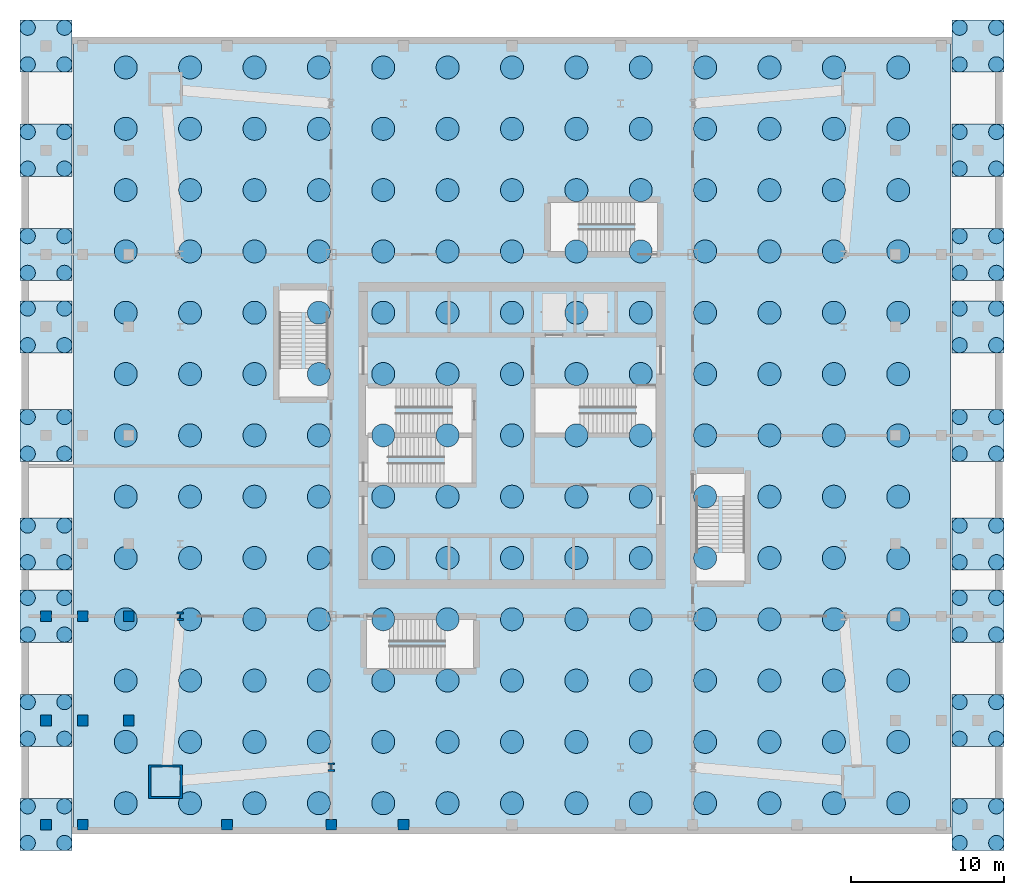
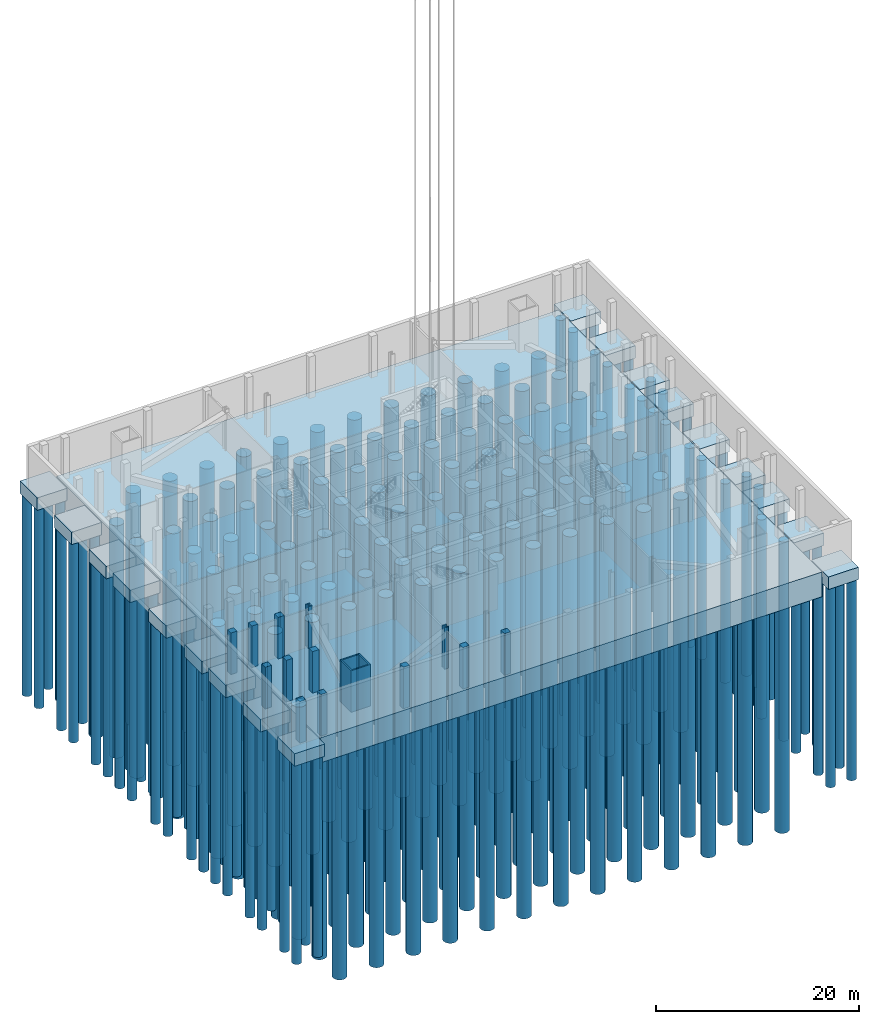
# One storey, part 1 of 8: 241 piles, 19 footings, 14 columns.
"""IFC4 building model written with IfcOpenShell, lengths in metres."""

from ifc_helpers import new_model, si_unit, direction, frame, origin, origin_2d, place, context, subcontext, project, spatial, polyline, rectangle, hollow_rectangle, circle, i_section, outline, extrude, material, layer, layer_set, material_profile, profile_set, type_object, element, save


model = new_model("IFC4")

# Units and contexts
model_context = context("Model", 3, precision=1e-05, world=origin(), true_north=direction((0.0, 1.0)))
body_context = subcontext(model_context, "Body", "Model", "MODEL_VIEW")
ifc_project = project(units=[si_unit("LENGTHUNIT", "METRE"), si_unit("AREAUNIT", "SQUARE_METRE"), si_unit("VOLUMEUNIT", "CUBIC_METRE"), si_unit("PLANEANGLEUNIT", "RADIAN"), si_unit("MASSUNIT", "GRAM", prefix="KILO")], contexts=[model_context])

# Site, building, storey
site_placement = place(None, origin())
site = spatial("IfcSite", under=ifc_project, at=site_placement, CompositionType="ELEMENT")
building_placement = place(site_placement, origin())
building = spatial("IfcBuilding", under=site, at=building_placement, Name="Turquesa Mirador Hotel Tower", CompositionType="ELEMENT")
storey_placement = place(building_placement, frame((0.0, 0.0, -5.0)))
storey = spatial("IfcBuildingStorey", under=building, at=storey_placement, Name="B1", CompositionType="ELEMENT", Elevation=-5.0)

# Piles
ifc_material_1 = material(Name="Concrete C35/45", Category="concrete")
pile_type_1 = type_object("IfcPileType", Name="BORED PILE 1000", PredefinedType="BORED", material=ifc_material_1)
for number, where, z_axis, x_axis, name in (
    (1, (23.39990234375, 18.39990234375, -1.5), (0.0, 0.0, -1.0), (1.0, 0.0, 0.0), "Cap 01 pile 1"),
    (2, (25.800048828125, 18.39990234375, -1.5), (0.0, 0.0, -1.0), (1.0, 0.0, 0.0), "Cap 01 pile 2"),
    (3, (25.800048828125, 20.800048828125, -1.5), (0.0, 0.0, -1.0), (1.0, 0.0, 0.0), "Cap 01 pile 3"),
    (4, (23.39990234375, 20.800048828125, -1.5), (0.0, 0.0, -1.0), (1.0, 0.0, 0.0), "Cap 01 pile 4"),
    (5, (23.39990234375, 25.199951171875, -1.5), (0.0, 0.0, -1.0), (1.0, 0.0, 0.0), "Cap 02 pile 1"),
    (6, (25.800048828125, 25.199951171875, -1.5), (0.0, 0.0, -1.0), (1.0, 0.0, 0.0), "Cap 02 pile 2"),
    (7, (25.800048828125, 27.60009765625, -1.5), (0.0, 0.0, -1.0), (1.0, 0.0, 0.0), "Cap 02 pile 3"),
    (8, (23.39990234375, 27.60009765625, -1.5), (0.0, 0.0, -1.0), (1.0, 0.0, 0.0), "Cap 02 pile 4"),
    (9, (23.39990234375, 32.0, -1.5), (0.0, 0.0, -1.0), (1.0, 0.0, 0.0), "Cap 03 pile 1"),
    (10, (25.800048828125, 32.0, -1.5), (0.0, 0.0, -1.0), (1.0, 0.0, 0.0), "Cap 03 pile 2"),
    (11, (25.800048828125, 34.39990234375, -1.5), (0.0, 0.0, -1.0), (1.0, 0.0, 0.0), "Cap 03 pile 3"),
    (12, (23.39990234375, 34.39990234375, -1.5), (0.0, 0.0, -1.0), (1.0, 0.0, 0.0), "Cap 03 pile 4"),
    (13, (23.39990234375, 36.719970703125, -1.5), (0.0, 0.0, -1.0), (1.0, 0.0, 0.0), "Cap 04 pile 1"),
    (14, (25.800048828125, 36.719970703125, -1.5), (0.0, 0.0, -1.0), (1.0, 0.0, 0.0), "Cap 04 pile 2"),
    (15, (25.800048828125, 39.1201171875, -1.5), (0.0, 0.0, -1.0), (1.0, 0.0, 0.0), "Cap 04 pile 3"),
    (16, (23.39990234375, 39.1201171875, -1.5), (0.0, 0.0, -1.0), (1.0, 0.0, 0.0), "Cap 04 pile 4"),
    (17, (23.39990234375, 43.800048828125, -1.5), (0.0, 0.0, -1.0), (1.0, 0.0, 0.0), "Cap 05 pile 1"),
    (18, (25.800048828125, 43.800048828125, -1.5), (0.0, 0.0, -1.0), (1.0, 0.0, 0.0), "Cap 05 pile 2"),
    (19, (25.800048828125, 46.199951171875, -1.5), (0.0, 0.0, -1.0), (1.0, 0.0, 0.0), "Cap 05 pile 3"),
    (20, (23.39990234375, 46.199951171875, -1.5), (0.0, 0.0, -1.0), (1.0, 0.0, 0.0), "Cap 05 pile 4"),
    (21, (23.39990234375, 50.8798828125, -1.5), (0.0, 0.0, -1.0), (1.0, 0.0, 0.0), "Cap 06 pile 1"),
    (22, (25.800048828125, 50.8798828125, -1.5), (0.0, 0.0, -1.0), (1.0, 0.0, 0.0), "Cap 06 pile 2"),
    (23, (25.800048828125, 53.280029296875, -1.5), (0.0, 0.0, -1.0), (1.0, 0.0, 0.0), "Cap 06 pile 3"),
    (24, (23.39990234375, 53.280029296875, -1.5), (0.0, 0.0, -1.0), (1.0, 0.0, 0.0), "Cap 06 pile 4"),
    (25, (23.39990234375, 55.60009765625, -1.5), (0.0, 0.0, -1.0), (1.0, 0.0, 0.0), "Cap 07 pile 1"),
    (26, (25.800048828125, 55.60009765625, -1.5), (0.0, 0.0, -1.0), (1.0, 0.0, 0.0), "Cap 07 pile 2"),
    (27, (25.800048828125, 58.0, -1.5), (0.0, 0.0, -1.0), (1.0, 0.0, 0.0), "Cap 07 pile 3"),
    (28, (23.39990234375, 58.0, -1.5), (0.0, 0.0, -1.0), (1.0, 0.0, 0.0), "Cap 07 pile 4"),
    (29, (23.39990234375, 62.39990234375, -1.5), (0.0, 0.0, -1.0), (1.0, 0.0, 0.0), "Cap 08 pile 1"),
    (30, (25.800048828125, 62.39990234375, -1.5), (0.0, 0.0, -1.0), (1.0, 0.0, 0.0), "Cap 08 pile 2"),
    (31, (25.800048828125, 64.800048828125, -1.5), (0.0, 0.0, -1.0), (1.0, 0.0, 0.0), "Cap 08 pile 3"),
    (32, (23.39990234375, 64.800048828125, -1.5), (0.0, 0.0, -1.0), (1.0, 0.0, 0.0), "Cap 08 pile 4"),
    (33, (23.39990234375, 69.199951171875, -1.5), (0.0, 0.0, -1.0), (1.0, 0.0, 0.0), "Cap 09 pile 1"),
    (34, (25.800048828125, 69.199951171875, -1.5), (0.0, 0.0, -1.0), (1.0, 0.0, 0.0), "Cap 09 pile 2"),
    (35, (25.800048828125, 71.60009765625, -1.5), (0.0, 0.0, -1.0), (1.0, 0.0, 0.0), "Cap 09 pile 3"),
    (36, (23.39990234375, 71.60009765625, -1.5), (0.0, 0.0, -1.0), (1.0, 0.0, 0.0), "Cap 09 pile 4"),
    (37, (84.199951171875, 18.39990234375, -1.5), (0.0, 0.0, -1.0), (1.0, 0.0, 0.0), "Cap 10 pile 1"),
    (38, (86.60009765625, 18.39990234375, -1.5), (0.0, 0.0, -1.0), (1.0, 0.0, 0.0), "Cap 10 pile 2"),
    (39, (86.60009765625, 20.800048828125, -1.5), (0.0, 0.0, -1.0), (1.0, 0.0, 0.0), "Cap 10 pile 3"),
    (40, (84.199951171875, 20.800048828125, -1.5), (0.0, 0.0, -1.0), (1.0, 0.0, 0.0), "Cap 10 pile 4"),
    (41, (84.199951171875, 25.199951171875, -1.5), (0.0, 0.0, -1.0), (1.0, 0.0, 0.0), "Cap 11 pile 1"),
    (42, (86.60009765625, 25.199951171875, -1.5), (0.0, 0.0, -1.0), (1.0, 0.0, 0.0), "Cap 11 pile 2"),
    (43, (86.60009765625, 27.60009765625, -1.5), (0.0, 0.0, -1.0), (1.0, 0.0, 0.0), "Cap 11 pile 3"),
    (44, (84.199951171875, 27.60009765625, -1.5), (0.0, 0.0, -1.0), (1.0, 0.0, 0.0), "Cap 11 pile 4"),
    (45, (84.199951171875, 32.0, -1.5), (0.0, 0.0, -1.0), (1.0, 0.0, 0.0), "Cap 12 pile 1"),
    (46, (86.60009765625, 32.0, -1.5), (0.0, 0.0, -1.0), (1.0, 0.0, 0.0), "Cap 12 pile 2"),
    (47, (86.60009765625, 34.39990234375, -1.5), (0.0, 0.0, -1.0), (1.0, 0.0, 0.0), "Cap 12 pile 3"),
    (48, (84.199951171875, 34.39990234375, -1.5), (0.0, 0.0, -1.0), (1.0, 0.0, 0.0), "Cap 12 pile 4"),
    (49, (84.199951171875, 36.719970703125, -1.5), (0.0, 0.0, -1.0), (1.0, 0.0, 0.0), "Cap 13 pile 1"),
    (50, (86.60009765625, 36.719970703125, -1.5), (0.0, 0.0, -1.0), (1.0, 0.0, 0.0), "Cap 13 pile 2"),
    (51, (86.60009765625, 39.1201171875, -1.5), (0.0, 0.0, -1.0), (1.0, 0.0, 0.0), "Cap 13 pile 3"),
    (52, (84.199951171875, 39.1201171875, -1.5), (0.0, 0.0, -1.0), (1.0, 0.0, 0.0), "Cap 13 pile 4"),
    (53, (84.199951171875, 43.800048828125, -1.5), (0.0, 0.0, -1.0), (1.0, 0.0, 0.0), "Cap 14 pile 1"),
    (54, (86.60009765625, 43.800048828125, -1.5), (0.0, 0.0, -1.0), (1.0, 0.0, 0.0), "Cap 14 pile 2"),
    (55, (86.60009765625, 46.199951171875, -1.5), (0.0, 0.0, -1.0), (1.0, 0.0, 0.0), "Cap 14 pile 3"),
    (56, (84.199951171875, 46.199951171875, -1.5), (0.0, 0.0, -1.0), (1.0, 0.0, 0.0), "Cap 14 pile 4"),
    (57, (84.199951171875, 50.8798828125, -1.5), (0.0, 0.0, -1.0), (1.0, 0.0, 0.0), "Cap 15 pile 1"),
    (58, (86.60009765625, 50.8798828125, -1.5), (0.0, 0.0, -1.0), (1.0, 0.0, 0.0), "Cap 15 pile 2"),
    (59, (86.60009765625, 53.280029296875, -1.5), (0.0, 0.0, -1.0), (1.0, 0.0, 0.0), "Cap 15 pile 3"),
    (60, (84.199951171875, 53.280029296875, -1.5), (0.0, 0.0, -1.0), (1.0, 0.0, 0.0), "Cap 15 pile 4"),
    (61, (84.199951171875, 55.60009765625, -1.5), (0.0, 0.0, -1.0), (1.0, 0.0, 0.0), "Cap 16 pile 1"),
    (62, (86.60009765625, 55.60009765625, -1.5), (0.0, 0.0, -1.0), (1.0, 0.0, 0.0), "Cap 16 pile 2"),
    (63, (86.60009765625, 58.0, -1.5), (0.0, 0.0, -1.0), (1.0, 0.0, 0.0), "Cap 16 pile 3"),
    (64, (84.199951171875, 58.0, -1.5), (0.0, 0.0, -1.0), (1.0, 0.0, 0.0), "Cap 16 pile 4"),
    (65, (84.199951171875, 62.39990234375, -1.5), (0.0, 0.0, -1.0), (1.0, 0.0, 0.0), "Cap 17 pile 1"),
    (66, (86.60009765625, 62.39990234375, -1.5), (0.0, 0.0, -1.0), (1.0, 0.0, 0.0), "Cap 17 pile 2"),
    (67, (86.60009765625, 64.800048828125, -1.5), (0.0, 0.0, -1.0), (1.0, 0.0, 0.0), "Cap 17 pile 3"),
    (68, (84.199951171875, 64.800048828125, -1.5), (0.0, 0.0, -1.0), (1.0, 0.0, 0.0), "Cap 17 pile 4"),
    (69, (84.199951171875, 69.199951171875, -1.5), (0.0, 0.0, -1.0), (1.0, 0.0, 0.0), "Cap 18 pile 1"),
    (70, (86.60009765625, 69.199951171875, -1.5), (0.0, 0.0, -1.0), (1.0, 0.0, 0.0), "Cap 18 pile 2"),
    (71, (86.60009765625, 71.60009765625, -1.5), (0.0, 0.0, -1.0), (1.0, 0.0, 0.0), "Cap 18 pile 3"),
    (72, (84.199951171875, 71.60009765625, -1.5), (0.0, 0.0, -1.0), (1.0, 0.0, 0.0), "Cap 18 pile 4"),
):
    element("IfcPile", number, at=place(storey_placement, frame(where, z_axis=z_axis, x_axis=x_axis)), inside=storey, type_object=pile_type_1, Name=name, PredefinedType="BORED", context=body_context, shape_type="SweptSolid", body=[
        extrude(circle(Radius=0.5, at=origin_2d()), origin(), (0.0, 0.0, 1.0), 24.0),
    ])
ifc_material_2 = material(Name="Concrete C35/45", Category="concrete")
pile_type_2 = type_object("IfcPileType", Name="BORED PILE 1500", PredefinedType="BORED", material=ifc_material_2)
for number, where, z_axis, x_axis, name in (
    (73, (29.800048828125, 21.0, -3.0), (0.0, 0.0, -1.0), (1.0, 0.0, 0.0), "Raft pile 001"),
    (74, (34.0, 21.0, -3.0), (0.0, 0.0, -1.0), (1.0, 0.0, 0.0), "Raft pile 002"),
    (75, (38.199951171875, 21.0, -3.0), (0.0, 0.0, -1.0), (1.0, 0.0, 0.0), "Raft pile 003"),
    (76, (42.39990234375, 21.0, -3.0), (0.0, 0.0, -1.0), (1.0, 0.0, 0.0), "Raft pile 004"),
    (77, (46.60009765625, 21.0, -3.0), (0.0, 0.0, -1.0), (1.0, 0.0, 0.0), "Raft pile 005"),
    (78, (50.800048828125, 21.0, -3.0), (0.0, 0.0, -1.0), (1.0, 0.0, 0.0), "Raft pile 006"),
    (79, (55.0, 21.0, -3.0), (0.0, 0.0, -1.0), (1.0, 0.0, 0.0), "Raft pile 007"),
    (80, (59.199951171875, 21.0, -3.0), (0.0, 0.0, -1.0), (1.0, 0.0, 0.0), "Raft pile 008"),
    (81, (63.39990234375, 21.0, -3.0), (0.0, 0.0, -1.0), (1.0, 0.0, 0.0), "Raft pile 009"),
    (82, (67.60009765625, 21.0, -3.0), (0.0, 0.0, -1.0), (1.0, 0.0, 0.0), "Raft pile 010"),
    (83, (71.800048828125, 21.0, -3.0), (0.0, 0.0, -1.0), (1.0, 0.0, 0.0), "Raft pile 011"),
    (84, (76.0, 21.0, -3.0), (0.0, 0.0, -1.0), (1.0, 0.0, 0.0), "Raft pile 012"),
    (85, (80.199951171875, 21.0, -3.0), (0.0, 0.0, -1.0), (1.0, 0.0, 0.0), "Raft pile 013"),
    (86, (29.800048828125, 25.0, -3.0), (0.0, 0.0, -1.0), (1.0, 0.0, 0.0), "Raft pile 014"),
    (87, (34.0, 25.0, -3.0), (0.0, 0.0, -1.0), (1.0, 0.0, 0.0), "Raft pile 015"),
    (88, (38.199951171875, 25.0, -3.0), (0.0, 0.0, -1.0), (1.0, 0.0, 0.0), "Raft pile 016"),
    (89, (42.39990234375, 25.0, -3.0), (0.0, 0.0, -1.0), (1.0, 0.0, 0.0), "Raft pile 017"),
    (90, (46.60009765625, 25.0, -3.0), (0.0, 0.0, -1.0), (1.0, 0.0, 0.0), "Raft pile 018"),
    (91, (50.800048828125, 25.0, -3.0), (0.0, 0.0, -1.0), (1.0, 0.0, 0.0), "Raft pile 019"),
    (92, (55.0, 25.0, -3.0), (0.0, 0.0, -1.0), (1.0, 0.0, 0.0), "Raft pile 020"),
    (93, (59.199951171875, 25.0, -3.0), (0.0, 0.0, -1.0), (1.0, 0.0, 0.0), "Raft pile 021"),
    (94, (63.39990234375, 25.0, -3.0), (0.0, 0.0, -1.0), (1.0, 0.0, 0.0), "Raft pile 022"),
    (95, (67.60009765625, 25.0, -3.0), (0.0, 0.0, -1.0), (1.0, 0.0, 0.0), "Raft pile 023"),
    (96, (71.800048828125, 25.0, -3.0), (0.0, 0.0, -1.0), (1.0, 0.0, 0.0), "Raft pile 024"),
    (97, (76.0, 25.0, -3.0), (0.0, 0.0, -1.0), (1.0, 0.0, 0.0), "Raft pile 025"),
    (98, (80.199951171875, 25.0, -3.0), (0.0, 0.0, -1.0), (1.0, 0.0, 0.0), "Raft pile 026"),
    (99, (29.800048828125, 29.0, -3.0), (0.0, 0.0, -1.0), (1.0, 0.0, 0.0), "Raft pile 027"),
    (100, (34.0, 29.0, -3.0), (0.0, 0.0, -1.0), (1.0, 0.0, 0.0), "Raft pile 028"),
    (101, (38.199951171875, 29.0, -3.0), (0.0, 0.0, -1.0), (1.0, 0.0, 0.0), "Raft pile 029"),
    (102, (42.39990234375, 29.0, -3.0), (0.0, 0.0, -1.0), (1.0, 0.0, 0.0), "Raft pile 030"),
    (103, (46.60009765625, 29.0, -3.0), (0.0, 0.0, -1.0), (1.0, 0.0, 0.0), "Raft pile 031"),
    (104, (50.800048828125, 29.0, -3.0), (0.0, 0.0, -1.0), (1.0, 0.0, 0.0), "Raft pile 032"),
    (105, (55.0, 29.0, -3.0), (0.0, 0.0, -1.0), (1.0, 0.0, 0.0), "Raft pile 033"),
    (106, (59.199951171875, 29.0, -3.0), (0.0, 0.0, -1.0), (1.0, 0.0, 0.0), "Raft pile 034"),
    (107, (63.39990234375, 29.0, -3.0), (0.0, 0.0, -1.0), (1.0, 0.0, 0.0), "Raft pile 035"),
    (108, (67.60009765625, 29.0, -3.0), (0.0, 0.0, -1.0), (1.0, 0.0, 0.0), "Raft pile 036"),
    (109, (71.800048828125, 29.0, -3.0), (0.0, 0.0, -1.0), (1.0, 0.0, 0.0), "Raft pile 037"),
    (110, (76.0, 29.0, -3.0), (0.0, 0.0, -1.0), (1.0, 0.0, 0.0), "Raft pile 038"),
    (111, (80.199951171875, 29.0, -3.0), (0.0, 0.0, -1.0), (1.0, 0.0, 0.0), "Raft pile 039"),
    (112, (29.800048828125, 33.0, -3.0), (0.0, 0.0, -1.0), (1.0, 0.0, 0.0), "Raft pile 040"),
    (113, (34.0, 33.0, -3.0), (0.0, 0.0, -1.0), (1.0, 0.0, 0.0), "Raft pile 041"),
    (114, (38.199951171875, 33.0, -3.0), (0.0, 0.0, -1.0), (1.0, 0.0, 0.0), "Raft pile 042"),
    (115, (42.39990234375, 33.0, -3.0), (0.0, 0.0, -1.0), (1.0, 0.0, 0.0), "Raft pile 043"),
    (116, (46.60009765625, 33.0, -3.0), (0.0, 0.0, -1.0), (1.0, 0.0, 0.0), "Raft pile 044"),
    (117, (50.800048828125, 33.0, -3.0), (0.0, 0.0, -1.0), (1.0, 0.0, 0.0), "Raft pile 045"),
    (118, (55.0, 33.0, -3.0), (0.0, 0.0, -1.0), (1.0, 0.0, 0.0), "Raft pile 046"),
    (119, (59.199951171875, 33.0, -3.0), (0.0, 0.0, -1.0), (1.0, 0.0, 0.0), "Raft pile 047"),
    (120, (63.39990234375, 33.0, -3.0), (0.0, 0.0, -1.0), (1.0, 0.0, 0.0), "Raft pile 048"),
    (121, (67.60009765625, 33.0, -3.0), (0.0, 0.0, -1.0), (1.0, 0.0, 0.0), "Raft pile 049"),
    (122, (71.800048828125, 33.0, -3.0), (0.0, 0.0, -1.0), (1.0, 0.0, 0.0), "Raft pile 050"),
    (123, (76.0, 33.0, -3.0), (0.0, 0.0, -1.0), (1.0, 0.0, 0.0), "Raft pile 051"),
    (124, (80.199951171875, 33.0, -3.0), (0.0, 0.0, -1.0), (1.0, 0.0, 0.0), "Raft pile 052"),
    (125, (29.800048828125, 37.0, -3.0), (0.0, 0.0, -1.0), (1.0, 0.0, 0.0), "Raft pile 053"),
    (126, (34.0, 37.0, -3.0), (0.0, 0.0, -1.0), (1.0, 0.0, 0.0), "Raft pile 054"),
    (127, (38.199951171875, 37.0, -3.0), (0.0, 0.0, -1.0), (1.0, 0.0, 0.0), "Raft pile 055"),
    (128, (42.39990234375, 37.0, -3.0), (0.0, 0.0, -1.0), (1.0, 0.0, 0.0), "Raft pile 056"),
    (129, (46.60009765625, 37.0, -3.0), (0.0, 0.0, -1.0), (1.0, 0.0, 0.0), "Raft pile 057"),
    (130, (50.800048828125, 37.0, -3.0), (0.0, 0.0, -1.0), (1.0, 0.0, 0.0), "Raft pile 058"),
    (131, (55.0, 37.0, -3.0), (0.0, 0.0, -1.0), (1.0, 0.0, 0.0), "Raft pile 059"),
    (132, (59.199951171875, 37.0, -3.0), (0.0, 0.0, -1.0), (1.0, 0.0, 0.0), "Raft pile 060"),
    (133, (63.39990234375, 37.0, -3.0), (0.0, 0.0, -1.0), (1.0, 0.0, 0.0), "Raft pile 061"),
    (134, (67.60009765625, 37.0, -3.0), (0.0, 0.0, -1.0), (1.0, 0.0, 0.0), "Raft pile 062"),
    (135, (71.800048828125, 37.0, -3.0), (0.0, 0.0, -1.0), (1.0, 0.0, 0.0), "Raft pile 063"),
    (136, (76.0, 37.0, -3.0), (0.0, 0.0, -1.0), (1.0, 0.0, 0.0), "Raft pile 064"),
    (137, (80.199951171875, 37.0, -3.0), (0.0, 0.0, -1.0), (1.0, 0.0, 0.0), "Raft pile 065"),
    (138, (29.800048828125, 41.0, -3.0), (0.0, 0.0, -1.0), (1.0, 0.0, 0.0), "Raft pile 066"),
    (139, (34.0, 41.0, -3.0), (0.0, 0.0, -1.0), (1.0, 0.0, 0.0), "Raft pile 067"),
    (140, (38.199951171875, 41.0, -3.0), (0.0, 0.0, -1.0), (1.0, 0.0, 0.0), "Raft pile 068"),
    (141, (42.39990234375, 41.0, -3.0), (0.0, 0.0, -1.0), (1.0, 0.0, 0.0), "Raft pile 069"),
    (142, (46.60009765625, 41.0, -3.0), (0.0, 0.0, -1.0), (1.0, 0.0, 0.0), "Raft pile 070"),
    (143, (50.800048828125, 41.0, -3.0), (0.0, 0.0, -1.0), (1.0, 0.0, 0.0), "Raft pile 071"),
    (144, (55.0, 41.0, -3.0), (0.0, 0.0, -1.0), (1.0, 0.0, 0.0), "Raft pile 072"),
    (145, (59.199951171875, 41.0, -3.0), (0.0, 0.0, -1.0), (1.0, 0.0, 0.0), "Raft pile 073"),
    (146, (63.39990234375, 41.0, -3.0), (0.0, 0.0, -1.0), (1.0, 0.0, 0.0), "Raft pile 074"),
    (147, (67.60009765625, 41.0, -3.0), (0.0, 0.0, -1.0), (1.0, 0.0, 0.0), "Raft pile 075"),
    (148, (71.800048828125, 41.0, -3.0), (0.0, 0.0, -1.0), (1.0, 0.0, 0.0), "Raft pile 076"),
    (149, (76.0, 41.0, -3.0), (0.0, 0.0, -1.0), (1.0, 0.0, 0.0), "Raft pile 077"),
    (150, (80.199951171875, 41.0, -3.0), (0.0, 0.0, -1.0), (1.0, 0.0, 0.0), "Raft pile 078"),
    (151, (29.800048828125, 45.0, -3.0), (0.0, 0.0, -1.0), (1.0, 0.0, 0.0), "Raft pile 079"),
    (152, (34.0, 45.0, -3.0), (0.0, 0.0, -1.0), (1.0, 0.0, 0.0), "Raft pile 080"),
    (153, (38.199951171875, 45.0, -3.0), (0.0, 0.0, -1.0), (1.0, 0.0, 0.0), "Raft pile 081"),
    (154, (42.39990234375, 45.0, -3.0), (0.0, 0.0, -1.0), (1.0, 0.0, 0.0), "Raft pile 082"),
    (155, (46.60009765625, 45.0, -3.0), (0.0, 0.0, -1.0), (1.0, 0.0, 0.0), "Raft pile 083"),
    (156, (50.800048828125, 45.0, -3.0), (0.0, 0.0, -1.0), (1.0, 0.0, 0.0), "Raft pile 084"),
    (157, (55.0, 45.0, -3.0), (0.0, 0.0, -1.0), (1.0, 0.0, 0.0), "Raft pile 085"),
    (158, (59.199951171875, 45.0, -3.0), (0.0, 0.0, -1.0), (1.0, 0.0, 0.0), "Raft pile 086"),
    (159, (63.39990234375, 45.0, -3.0), (0.0, 0.0, -1.0), (1.0, 0.0, 0.0), "Raft pile 087"),
    (160, (67.60009765625, 45.0, -3.0), (0.0, 0.0, -1.0), (1.0, 0.0, 0.0), "Raft pile 088"),
    (161, (71.800048828125, 45.0, -3.0), (0.0, 0.0, -1.0), (1.0, 0.0, 0.0), "Raft pile 089"),
    (162, (76.0, 45.0, -3.0), (0.0, 0.0, -1.0), (1.0, 0.0, 0.0), "Raft pile 090"),
    (163, (80.199951171875, 45.0, -3.0), (0.0, 0.0, -1.0), (1.0, 0.0, 0.0), "Raft pile 091"),
    (164, (29.800048828125, 49.0, -3.0), (0.0, 0.0, -1.0), (1.0, 0.0, 0.0), "Raft pile 092"),
    (165, (34.0, 49.0, -3.0), (0.0, 0.0, -1.0), (1.0, 0.0, 0.0), "Raft pile 093"),
    (166, (38.199951171875, 49.0, -3.0), (0.0, 0.0, -1.0), (1.0, 0.0, 0.0), "Raft pile 094"),
    (167, (42.39990234375, 49.0, -3.0), (0.0, 0.0, -1.0), (1.0, 0.0, 0.0), "Raft pile 095"),
    (168, (46.60009765625, 49.0, -3.0), (0.0, 0.0, -1.0), (1.0, 0.0, 0.0), "Raft pile 096"),
    (169, (50.800048828125, 49.0, -3.0), (0.0, 0.0, -1.0), (1.0, 0.0, 0.0), "Raft pile 097"),
    (170, (55.0, 49.0, -3.0), (0.0, 0.0, -1.0), (1.0, 0.0, 0.0), "Raft pile 098"),
    (171, (59.199951171875, 49.0, -3.0), (0.0, 0.0, -1.0), (1.0, 0.0, 0.0), "Raft pile 099"),
    (172, (63.39990234375, 49.0, -3.0), (0.0, 0.0, -1.0), (1.0, 0.0, 0.0), "Raft pile 100"),
    (173, (67.60009765625, 49.0, -3.0), (0.0, 0.0, -1.0), (1.0, 0.0, 0.0), "Raft pile 101"),
    (174, (71.800048828125, 49.0, -3.0), (0.0, 0.0, -1.0), (1.0, 0.0, 0.0), "Raft pile 102"),
    (175, (76.0, 49.0, -3.0), (0.0, 0.0, -1.0), (1.0, 0.0, 0.0), "Raft pile 103"),
    (176, (80.199951171875, 49.0, -3.0), (0.0, 0.0, -1.0), (1.0, 0.0, 0.0), "Raft pile 104"),
    (177, (29.800048828125, 53.0, -3.0), (0.0, 0.0, -1.0), (1.0, 0.0, 0.0), "Raft pile 105"),
    (178, (34.0, 53.0, -3.0), (0.0, 0.0, -1.0), (1.0, 0.0, 0.0), "Raft pile 106"),
    (179, (38.199951171875, 53.0, -3.0), (0.0, 0.0, -1.0), (1.0, 0.0, 0.0), "Raft pile 107"),
    (180, (42.39990234375, 53.0, -3.0), (0.0, 0.0, -1.0), (1.0, 0.0, 0.0), "Raft pile 108"),
    (181, (46.60009765625, 53.0, -3.0), (0.0, 0.0, -1.0), (1.0, 0.0, 0.0), "Raft pile 109"),
    (182, (50.800048828125, 53.0, -3.0), (0.0, 0.0, -1.0), (1.0, 0.0, 0.0), "Raft pile 110"),
    (183, (55.0, 53.0, -3.0), (0.0, 0.0, -1.0), (1.0, 0.0, 0.0), "Raft pile 111"),
    (184, (59.199951171875, 53.0, -3.0), (0.0, 0.0, -1.0), (1.0, 0.0, 0.0), "Raft pile 112"),
    (185, (63.39990234375, 53.0, -3.0), (0.0, 0.0, -1.0), (1.0, 0.0, 0.0), "Raft pile 113"),
    (186, (67.60009765625, 53.0, -3.0), (0.0, 0.0, -1.0), (1.0, 0.0, 0.0), "Raft pile 114"),
    (187, (71.800048828125, 53.0, -3.0), (0.0, 0.0, -1.0), (1.0, 0.0, 0.0), "Raft pile 115"),
    (188, (76.0, 53.0, -3.0), (0.0, 0.0, -1.0), (1.0, 0.0, 0.0), "Raft pile 116"),
    (189, (80.199951171875, 53.0, -3.0), (0.0, 0.0, -1.0), (1.0, 0.0, 0.0), "Raft pile 117"),
    (190, (29.800048828125, 57.0, -3.0), (0.0, 0.0, -1.0), (1.0, 0.0, 0.0), "Raft pile 118"),
    (191, (34.0, 57.0, -3.0), (0.0, 0.0, -1.0), (1.0, 0.0, 0.0), "Raft pile 119"),
    (192, (38.199951171875, 57.0, -3.0), (0.0, 0.0, -1.0), (1.0, 0.0, 0.0), "Raft pile 120"),
    (193, (42.39990234375, 57.0, -3.0), (0.0, 0.0, -1.0), (1.0, 0.0, 0.0), "Raft pile 121"),
    (194, (46.60009765625, 57.0, -3.0), (0.0, 0.0, -1.0), (1.0, 0.0, 0.0), "Raft pile 122"),
    (195, (50.800048828125, 57.0, -3.0), (0.0, 0.0, -1.0), (1.0, 0.0, 0.0), "Raft pile 123"),
    (196, (55.0, 57.0, -3.0), (0.0, 0.0, -1.0), (1.0, 0.0, 0.0), "Raft pile 124"),
    (197, (59.199951171875, 57.0, -3.0), (0.0, 0.0, -1.0), (1.0, 0.0, 0.0), "Raft pile 125"),
    (198, (63.39990234375, 57.0, -3.0), (0.0, 0.0, -1.0), (1.0, 0.0, 0.0), "Raft pile 126"),
    (199, (67.60009765625, 57.0, -3.0), (0.0, 0.0, -1.0), (1.0, 0.0, 0.0), "Raft pile 127"),
    (200, (71.800048828125, 57.0, -3.0), (0.0, 0.0, -1.0), (1.0, 0.0, 0.0), "Raft pile 128"),
    (201, (76.0, 57.0, -3.0), (0.0, 0.0, -1.0), (1.0, 0.0, 0.0), "Raft pile 129"),
    (202, (80.199951171875, 57.0, -3.0), (0.0, 0.0, -1.0), (1.0, 0.0, 0.0), "Raft pile 130"),
    (203, (29.800048828125, 61.0, -3.0), (0.0, 0.0, -1.0), (1.0, 0.0, 0.0), "Raft pile 131"),
    (204, (34.0, 61.0, -3.0), (0.0, 0.0, -1.0), (1.0, 0.0, 0.0), "Raft pile 132"),
    (205, (38.199951171875, 61.0, -3.0), (0.0, 0.0, -1.0), (1.0, 0.0, 0.0), "Raft pile 133"),
    (206, (42.39990234375, 61.0, -3.0), (0.0, 0.0, -1.0), (1.0, 0.0, 0.0), "Raft pile 134"),
    (207, (46.60009765625, 61.0, -3.0), (0.0, 0.0, -1.0), (1.0, 0.0, 0.0), "Raft pile 135"),
    (208, (50.800048828125, 61.0, -3.0), (0.0, 0.0, -1.0), (1.0, 0.0, 0.0), "Raft pile 136"),
    (209, (55.0, 61.0, -3.0), (0.0, 0.0, -1.0), (1.0, 0.0, 0.0), "Raft pile 137"),
    (210, (59.199951171875, 61.0, -3.0), (0.0, 0.0, -1.0), (1.0, 0.0, 0.0), "Raft pile 138"),
    (211, (63.39990234375, 61.0, -3.0), (0.0, 0.0, -1.0), (1.0, 0.0, 0.0), "Raft pile 139"),
    (212, (67.60009765625, 61.0, -3.0), (0.0, 0.0, -1.0), (1.0, 0.0, 0.0), "Raft pile 140"),
    (213, (71.800048828125, 61.0, -3.0), (0.0, 0.0, -1.0), (1.0, 0.0, 0.0), "Raft pile 141"),
    (214, (76.0, 61.0, -3.0), (0.0, 0.0, -1.0), (1.0, 0.0, 0.0), "Raft pile 142"),
    (215, (80.199951171875, 61.0, -3.0), (0.0, 0.0, -1.0), (1.0, 0.0, 0.0), "Raft pile 143"),
    (216, (29.800048828125, 65.0, -3.0), (0.0, 0.0, -1.0), (1.0, 0.0, 0.0), "Raft pile 144"),
    (217, (34.0, 65.0, -3.0), (0.0, 0.0, -1.0), (1.0, 0.0, 0.0), "Raft pile 145"),
    (218, (38.199951171875, 65.0, -3.0), (0.0, 0.0, -1.0), (1.0, 0.0, 0.0), "Raft pile 146"),
    (219, (42.39990234375, 65.0, -3.0), (0.0, 0.0, -1.0), (1.0, 0.0, 0.0), "Raft pile 147"),
    (220, (46.60009765625, 65.0, -3.0), (0.0, 0.0, -1.0), (1.0, 0.0, 0.0), "Raft pile 148"),
    (221, (50.800048828125, 65.0, -3.0), (0.0, 0.0, -1.0), (1.0, 0.0, 0.0), "Raft pile 149"),
    (222, (55.0, 65.0, -3.0), (0.0, 0.0, -1.0), (1.0, 0.0, 0.0), "Raft pile 150"),
    (223, (59.199951171875, 65.0, -3.0), (0.0, 0.0, -1.0), (1.0, 0.0, 0.0), "Raft pile 151"),
    (224, (63.39990234375, 65.0, -3.0), (0.0, 0.0, -1.0), (1.0, 0.0, 0.0), "Raft pile 152"),
    (225, (67.60009765625, 65.0, -3.0), (0.0, 0.0, -1.0), (1.0, 0.0, 0.0), "Raft pile 153"),
    (226, (71.800048828125, 65.0, -3.0), (0.0, 0.0, -1.0), (1.0, 0.0, 0.0), "Raft pile 154"),
    (227, (76.0, 65.0, -3.0), (0.0, 0.0, -1.0), (1.0, 0.0, 0.0), "Raft pile 155"),
    (228, (80.199951171875, 65.0, -3.0), (0.0, 0.0, -1.0), (1.0, 0.0, 0.0), "Raft pile 156"),
    (229, (29.800048828125, 69.0, -3.0), (0.0, 0.0, -1.0), (1.0, 0.0, 0.0), "Raft pile 157"),
    (230, (34.0, 69.0, -3.0), (0.0, 0.0, -1.0), (1.0, 0.0, 0.0), "Raft pile 158"),
    (231, (38.199951171875, 69.0, -3.0), (0.0, 0.0, -1.0), (1.0, 0.0, 0.0), "Raft pile 159"),
    (232, (42.39990234375, 69.0, -3.0), (0.0, 0.0, -1.0), (1.0, 0.0, 0.0), "Raft pile 160"),
    (233, (46.60009765625, 69.0, -3.0), (0.0, 0.0, -1.0), (1.0, 0.0, 0.0), "Raft pile 161"),
    (234, (50.800048828125, 69.0, -3.0), (0.0, 0.0, -1.0), (1.0, 0.0, 0.0), "Raft pile 162"),
    (235, (55.0, 69.0, -3.0), (0.0, 0.0, -1.0), (1.0, 0.0, 0.0), "Raft pile 163"),
    (236, (59.199951171875, 69.0, -3.0), (0.0, 0.0, -1.0), (1.0, 0.0, 0.0), "Raft pile 164"),
    (237, (63.39990234375, 69.0, -3.0), (0.0, 0.0, -1.0), (1.0, 0.0, 0.0), "Raft pile 165"),
    (238, (67.60009765625, 69.0, -3.0), (0.0, 0.0, -1.0), (1.0, 0.0, 0.0), "Raft pile 166"),
    (239, (71.800048828125, 69.0, -3.0), (0.0, 0.0, -1.0), (1.0, 0.0, 0.0), "Raft pile 167"),
    (240, (76.0, 69.0, -3.0), (0.0, 0.0, -1.0), (1.0, 0.0, 0.0), "Raft pile 168"),
    (241, (80.199951171875, 69.0, -3.0), (0.0, 0.0, -1.0), (1.0, 0.0, 0.0), "Raft pile 169"),
):
    element("IfcPile", number, at=place(storey_placement, frame(where, z_axis=z_axis, x_axis=x_axis)), inside=storey, type_object=pile_type_2, Name=name, PredefinedType="BORED", context=body_context, shape_type="SweptSolid", body=[
        extrude(circle(Radius=0.75, at=origin_2d()), origin(), (0.0, 0.0, 1.0), 28.0),
    ])

# Footings
ifc_material_3 = material(Name="Concrete C35/45", Category="concrete")
ifc_layer_1 = layer(ifc_material_3, 1.5)
ifc_layer_set_1 = layer_set([ifc_layer_1], Name="PILE CAP 3400X3400X1500")
footing_type_1 = type_object("IfcFootingType", Name="PILE CAP 3400X3400X1500", PredefinedType="PILE_CAP", material=ifc_layer_set_1)
for number, where, z_axis, x_axis, name in (
    (242, (24.60009765625, 19.60009765625, -1.5), (0.0, 0.0, 1.0), (1.0, 0.0, 0.0), "Pile cap 01"),
    (243, (24.60009765625, 26.39990234375, -1.5), (0.0, 0.0, 1.0), (1.0, 0.0, 0.0), "Pile cap 02"),
    (244, (24.60009765625, 33.199951171875, -1.5), (0.0, 0.0, 1.0), (1.0, 0.0, 0.0), "Pile cap 03"),
    (245, (24.60009765625, 37.919921875, -1.5), (0.0, 0.0, 1.0), (1.0, 0.0, 0.0), "Pile cap 04"),
    (246, (24.60009765625, 45.0, -1.5), (0.0, 0.0, 1.0), (1.0, 0.0, 0.0), "Pile cap 05"),
    (247, (24.60009765625, 52.080078125, -1.5), (0.0, 0.0, 1.0), (1.0, 0.0, 0.0), "Pile cap 06"),
    (248, (24.60009765625, 56.800048828125, -1.5), (0.0, 0.0, 1.0), (1.0, 0.0, 0.0), "Pile cap 07"),
    (249, (24.60009765625, 63.60009765625, -1.5), (0.0, 0.0, 1.0), (1.0, 0.0, 0.0), "Pile cap 08"),
    (250, (24.60009765625, 70.39990234375, -1.5), (0.0, 0.0, 1.0), (1.0, 0.0, 0.0), "Pile cap 09"),
    (251, (85.39990234375, 19.60009765625, -1.5), (0.0, 0.0, 1.0), (1.0, 0.0, 0.0), "Pile cap 10"),
    (252, (85.39990234375, 26.39990234375, -1.5), (0.0, 0.0, 1.0), (1.0, 0.0, 0.0), "Pile cap 11"),
    (253, (85.39990234375, 33.199951171875, -1.5), (0.0, 0.0, 1.0), (1.0, 0.0, 0.0), "Pile cap 12"),
    (254, (85.39990234375, 37.919921875, -1.5), (0.0, 0.0, 1.0), (1.0, 0.0, 0.0), "Pile cap 13"),
    (255, (85.39990234375, 45.0, -1.5), (0.0, 0.0, 1.0), (1.0, 0.0, 0.0), "Pile cap 14"),
    (256, (85.39990234375, 52.080078125, -1.5), (0.0, 0.0, 1.0), (1.0, 0.0, 0.0), "Pile cap 15"),
    (257, (85.39990234375, 56.800048828125, -1.5), (0.0, 0.0, 1.0), (1.0, 0.0, 0.0), "Pile cap 16"),
    (258, (85.39990234375, 63.60009765625, -1.5), (0.0, 0.0, 1.0), (1.0, 0.0, 0.0), "Pile cap 17"),
    (259, (85.39990234375, 70.39990234375, -1.5), (0.0, 0.0, 1.0), (1.0, 0.0, 0.0), "Pile cap 18"),
):
    element("IfcFooting", number, at=place(storey_placement, frame(where, z_axis=z_axis, x_axis=x_axis)), inside=storey, type_object=footing_type_1, Name=name, PredefinedType="PILE_CAP", context=body_context, shape_type="SweptSolid", body=[
        extrude(rectangle(XDim=3.39990234375, YDim=3.39990234375, at=origin_2d()), origin(), (0.0, 0.0, 1.0), 1.5),
    ])
ifc_material_4 = material(Name="Concrete C35/45", Category="concrete")
ifc_layer_2 = layer(ifc_material_4, 3.0)
ifc_layer_set_2 = layer_set([ifc_layer_2], Name="RAFT 3000")
footing_type_2 = type_object("IfcFootingType", Name="RAFT 3000", PredefinedType="PILE_CAP", material=ifc_layer_set_2)
footing_placement = place(storey_placement, frame((0.0, 0.0, -3.0)))
element("IfcFooting", 260, at=footing_placement, inside=storey, type_object=footing_type_2, Name="Tower piled raft", PredefinedType="PILE_CAP", context=body_context, shape_type="SweptSolid", body=[
    extrude(outline(polyline([(26.39990234375, 19.0), (83.60009765625, 19.0), (83.60009765625, 71.0), (26.39990234375, 71.0), (26.39990234375, 19.0)])), origin(), (0.0, 0.0, 1.0), 3.0),
])

# Columns
ifc_material_5 = material(Name="Steel ASTM A992 Grade 50", Category="steel")
ifc_material_profile_1 = material_profile(ifc_material_5, i_section(OverallWidth=0.44189453125, OverallDepth=0.53076171875, WebThickness=0.06591796875, FlangeThickness=0.105712890625, at=origin_2d()), Name="W14X605")
ifc_profile_set_1 = profile_set([ifc_material_profile_1], Name="Steel ASTM A992 Grade 50")
column_type_1 = type_object("IfcColumnType", Name="COLUMN W14X605", PredefinedType="COLUMN", material=ifc_profile_set_1)
for number, where, z_axis, x_axis, name in (
    (261, (33.35009765625, 33.199951171875, 0.0), (0.0, 0.0, 1.0), (1.0, 0.0, 0.0), "COL-B1-P--21.65--11.80"),
    (262, (43.199951171875, 23.35009765625, 0.0), (0.0, 0.0, 1.0), (1.0, 0.0, 0.0), "COL-B1-P--11.80--21.65"),
):
    element("IfcColumn", number, at=place(storey_placement, frame(where, z_axis=z_axis, x_axis=x_axis)), inside=storey, type_object=column_type_1, Name=name, PredefinedType="COLUMN", context=body_context, shape_type="SweptSolid", body=[
        extrude(i_section(OverallWidth=0.44189453125, OverallDepth=0.53076171875, WebThickness=0.06591796875, FlangeThickness=0.105712890625, at=origin_2d()), origin(), (0.0, 0.0, 1.0), 5.0),
    ])
ifc_material_6 = material(Name="Steel ASTM A514 Grade Q", Category="steel")
ifc_material_profile_2 = material_profile(ifc_material_6, hollow_rectangle(XDim=2.199951171875, YDim=2.199951171875, WallThickness=0.14990234375, at=origin_2d()), Name="BOX2200X2200X150")
ifc_profile_set_2 = profile_set([ifc_material_profile_2], Name="Steel ASTM A514 Grade Q")
column_type_2 = type_object("IfcColumnType", Name="MEGA COLUMN BOX2200X2200X150", PredefinedType="COLUMN", material=ifc_profile_set_2)
column_placement = place(storey_placement, frame((32.39990234375, 22.39990234375, 0.0), z_axis=(0.0, 0.0, 1.0), x_axis=(1.0, 0.0, 0.0)))
element("IfcColumn", 263, at=column_placement, inside=storey, type_object=column_type_2, Name="Mega column M3", PredefinedType="COLUMN", context=body_context, shape_type="SweptSolid", body=[
    extrude(hollow_rectangle(XDim=2.199951171875, YDim=2.199951171875, WallThickness=0.14990234375, at=origin_2d()), origin(), (0.0, 0.0, 1.0), 5.0),
])
ifc_material_7 = material(Name="Concrete C50/60", Category="concrete")
ifc_material_profile_3 = material_profile(ifc_material_7, rectangle(XDim=0.699951171875, YDim=0.699951171875, at=origin_2d()), Name="RC 700X700")
ifc_profile_set_3 = profile_set([ifc_material_profile_3], Name="Concrete C50/60")
column_type_3 = type_object("IfcColumnType", Name="PODIUM COLUMN 700X700", PredefinedType="COLUMN", material=ifc_profile_set_3)
for number, where, z_axis, x_axis, name in (
    (264, (24.60009765625, 19.60009765625, 0.0), (0.0, 0.0, 1.0), (1.0, 0.0, 0.0), "PCOL-B1--30.40--25.40"),
    (265, (24.60009765625, 26.39990234375, 0.0), (0.0, 0.0, 1.0), (1.0, 0.0, 0.0), "PCOL-B1--30.40--18.60"),
    (266, (24.60009765625, 33.199951171875, 0.0), (0.0, 0.0, 1.0), (1.0, 0.0, 0.0), "PCOL-B1--30.40--11.80"),
    (267, (27.0, 19.60009765625, 0.0), (0.0, 0.0, 1.0), (1.0, 0.0, 0.0), "PCOL-B1--28.00--25.40"),
    (268, (27.0, 26.39990234375, 0.0), (0.0, 0.0, 1.0), (1.0, 0.0, 0.0), "PCOL-B1--28.00--18.60"),
    (269, (27.0, 33.199951171875, 0.0), (0.0, 0.0, 1.0), (1.0, 0.0, 0.0), "PCOL-B1--28.00--11.80"),
    (270, (30.0, 26.39990234375, 0.0), (0.0, 0.0, 1.0), (1.0, 0.0, 0.0), "PCOL-B1--25.00--18.60"),
    (271, (30.0, 33.199951171875, 0.0), (0.0, 0.0, 1.0), (1.0, 0.0, 0.0), "PCOL-B1--25.00--11.80"),
    (272, (36.39990234375, 19.60009765625, 0.0), (0.0, 0.0, 1.0), (1.0, 0.0, 0.0), "PCOL-B1--18.60--25.40"),
    (273, (43.199951171875, 19.60009765625, 0.0), (0.0, 0.0, 1.0), (1.0, 0.0, 0.0), "PCOL-B1--11.80--25.40"),
    (274, (47.919921875, 19.60009765625, 0.0), (0.0, 0.0, 1.0), (1.0, 0.0, 0.0), "PCOL-B1--7.08--25.40"),
):
    element("IfcColumn", number, at=place(storey_placement, frame(where, z_axis=z_axis, x_axis=x_axis)), inside=storey, type_object=column_type_3, Name=name, PredefinedType="COLUMN", context=body_context, shape_type="SweptSolid", body=[
        extrude(rectangle(XDim=0.699951171875, YDim=0.699951171875, at=origin_2d()), origin(), (0.0, 0.0, 1.0), 5.0),
    ])

save(model, "model.ifc")
